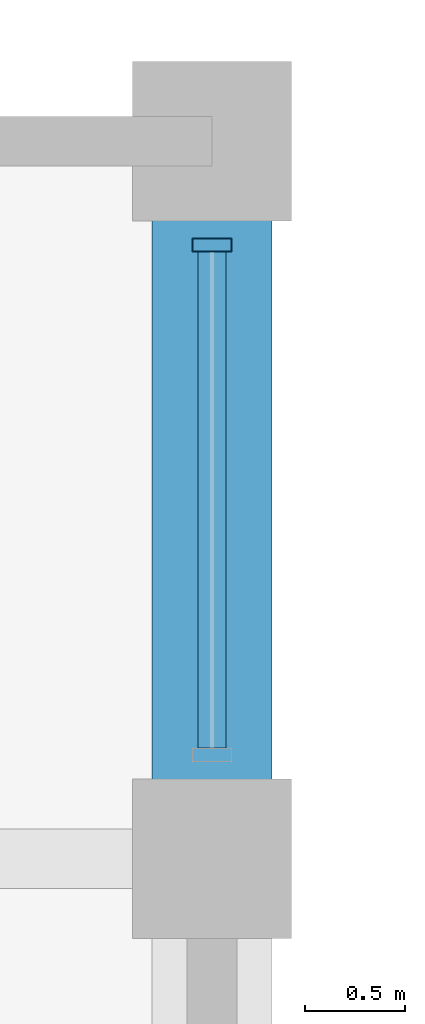
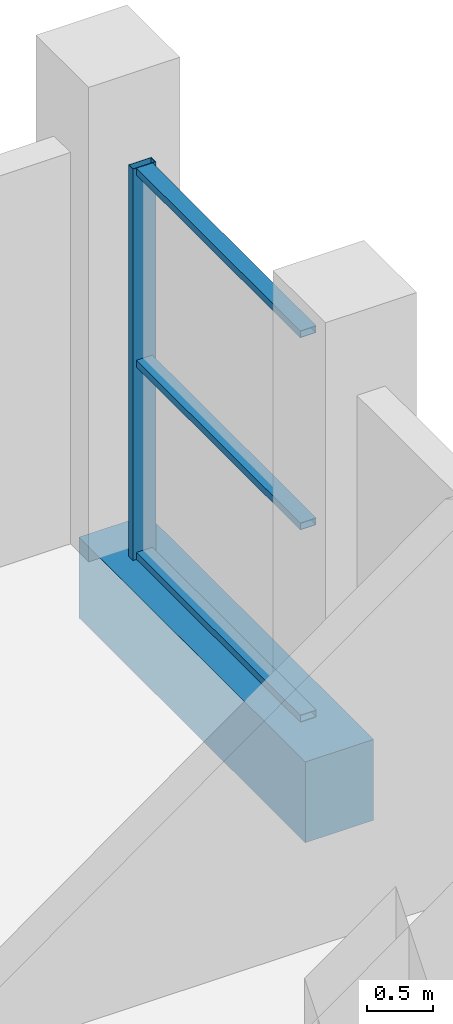
# One storey, part 9 of 18: 4 members, 1 beam, 1 element without a shape of its own.
"""IFC4 building model written with IfcOpenShell, lengths in metres."""

from ifc_helpers import new_model, si_unit, direction, frame, origin, origin_2d, place, context, subcontext, project, spatial, rectangle, hollow_rectangle, extrude, material, layer, layer_set, material_profile, profile_set, type_object, element, aggregate, save


model = new_model("IFC4")

# Units and contexts
model_context = context("Model", 3, precision=1e-05, world=origin(), true_north=direction((0.0, 1.0)))
body_context = subcontext(model_context, "Body", "Model", "MODEL_VIEW")
ifc_project = project(units=[si_unit("LENGTHUNIT", "METRE"), si_unit("AREAUNIT", "SQUARE_METRE"), si_unit("VOLUMEUNIT", "CUBIC_METRE"), si_unit("PLANEANGLEUNIT", "RADIAN"), si_unit("MASSUNIT", "GRAM", prefix="KILO")], contexts=[model_context])

# Site, building, storey
site_placement = place(None, origin())
site = spatial("IfcSite", under=ifc_project, at=site_placement, CompositionType="ELEMENT")
building_placement = place(site_placement, origin())
building = spatial("IfcBuilding", under=site, at=building_placement, Name="Solnavia Interchange Tower", CompositionType="ELEMENT")
storey_placement = place(building_placement, frame((0.0, 0.0, 295.39990234375)))
storey = spatial("IfcBuildingStorey", under=building, at=storey_placement, Name="L75", CompositionType="ELEMENT", Elevation=295.39990234375)

# Beam
ifc_material_1 = material(Name="Concrete C50/60", Category="concrete")
ifc_material_profile_1 = material_profile(ifc_material_1, rectangle(XDim=0.60009765625, YDim=0.75, at=origin_2d()), Name="RC 600x750")
ifc_profile_set_1 = profile_set([ifc_material_profile_1], Name="Concrete C50/60")
beam_type = type_object("IfcBeamType", Name="Beam-Spandrel-RC600x750", PredefinedType="SPANDREL", material=ifc_profile_set_1)
beam_placement = place(storey_placement, frame((25.199951171875, 28.8798828125, -0.375), z_axis=(0.0, 1.0, 0.0), x_axis=(-1.0, 0.0, 0.0)))
element("IfcBeam", 1, at=beam_placement, inside=storey, type_object=beam_type, Name="SPB-L75-21 Framed-tube perimeter spandrel beam", PredefinedType="SPANDREL", context=body_context, shape_type="SweptSolid", body=[
    extrude(rectangle(XDim=0.60009765625, YDim=0.75, at=origin_2d()), origin(), (0.0, 0.0, 1.0), 3.440185546875),
])

# Curtain wall, members
ifc_material_2 = material(Name="Aluminium Alloy 6063-T6", Category="aluminium")
ifc_layer = layer(ifc_material_2, 0.219970703125)
ifc_layer_set = layer_set([ifc_layer], Name="Aluminium Alloy 6063-T6")
curtain_wall_type = type_object("IfcCurtainWallType", Name="CurtainWall-Tower-CTW3", PredefinedType="NOTDEFINED", material=ifc_layer_set)
curtain_wall_placement = place(storey_placement, origin())
curtain_wall = element("IfcCurtainWall", 2, at=curtain_wall_placement, inside=storey, type_object=curtain_wall_type, Name="CTW-L75-S22 CTW-3 curtain wall", PredefinedType="NOTDEFINED")
ifc_material_profile_2 = material_profile(ifc_material_2, hollow_rectangle(XDim=0.070068359375, YDim=0.199951171875, WallThickness=0.0048828125, at=origin_2d()), Name="ALU 200x70x5")
ifc_profile_set_2 = profile_set([ifc_material_profile_2], Name="Aluminium Alloy 6063-T6")
member_type_1 = type_object("IfcMemberType", Name="CW-Mullion-CWM-3", PredefinedType="MULLION", material=ifc_profile_set_2)
member_1_placement = place(storey_placement, frame((25.199951171875, 31.8798828125, 0.0), z_axis=(0.0, 0.0, 1.0), x_axis=(0.0, 1.0, 0.0)))
member_1 = element("IfcMember", 3, at=member_1_placement, type_object=member_type_1, Name="CTW-3 mullion 2", PredefinedType="MULLION", context=body_context, shape_type="SweptSolid", body=[
    extrude(hollow_rectangle(XDim=0.070068359375, YDim=0.199951171875, WallThickness=0.0048828125, at=origin_2d()), origin(), (0.0, 0.0, 1.0), 3.630126953125),
])
ifc_material_profile_3 = material_profile(ifc_material_2, hollow_rectangle(XDim=0.06494140625, YDim=0.139892578125, WallThickness=0.00390625, at=origin_2d()), Name="ALU 140x65x4")
ifc_profile_set_3 = profile_set([ifc_material_profile_3], Name="Aluminium Alloy 6063-T6")
member_type_2 = type_object("IfcMemberType", Name="CW-Transom-CWT-3", PredefinedType="USERDEFINED", material=ifc_profile_set_3)
member_2_placement = place(storey_placement, frame((25.199951171875, 29.35498046875, 0.03271484375), z_axis=(0.0, 1.0, 0.0), x_axis=(0.0, 0.0, 1.0)))
member_2 = element("IfcMember", 4, at=member_2_placement, type_object=member_type_2, Name="CTW-3 transom 1.1", ObjectType="TRANSOM", PredefinedType="USERDEFINED", context=body_context, shape_type="SweptSolid", body=[
    extrude(hollow_rectangle(XDim=0.06494140625, YDim=0.139892578125, WallThickness=0.00390625, at=origin_2d()), origin(), (0.0, 0.0, 1.0), 2.489990234375),
])
member_3_placement = place(storey_placement, frame((25.199951171875, 29.35498046875, 1.815185546875), z_axis=(0.0, 1.0, 0.0), x_axis=(0.0, 0.0, 1.0)))
member_3 = element("IfcMember", 5, at=member_3_placement, type_object=member_type_2, Name="CTW-3 transom 1.2", ObjectType="TRANSOM", PredefinedType="USERDEFINED", context=body_context, shape_type="SweptSolid", body=[
    extrude(hollow_rectangle(XDim=0.06494140625, YDim=0.139892578125, WallThickness=0.00390625, at=origin_2d()), origin(), (0.0, 0.0, 1.0), 2.489990234375),
])
member_4_placement = place(storey_placement, frame((25.199951171875, 29.35498046875, 3.59765625), z_axis=(0.0, 1.0, 0.0), x_axis=(0.0, 0.0, 1.0)))
member_4 = element("IfcMember", 6, at=member_4_placement, type_object=member_type_2, Name="CTW-3 transom 1.3", ObjectType="TRANSOM", PredefinedType="USERDEFINED", context=body_context, shape_type="SweptSolid", body=[
    extrude(hollow_rectangle(XDim=0.06494140625, YDim=0.139892578125, WallThickness=0.00390625, at=origin_2d()), origin(), (0.0, 0.0, 1.0), 2.489990234375),
])
aggregate(curtain_wall, [member_1, member_2, member_3, member_4])

save(model, "model.ifc")
